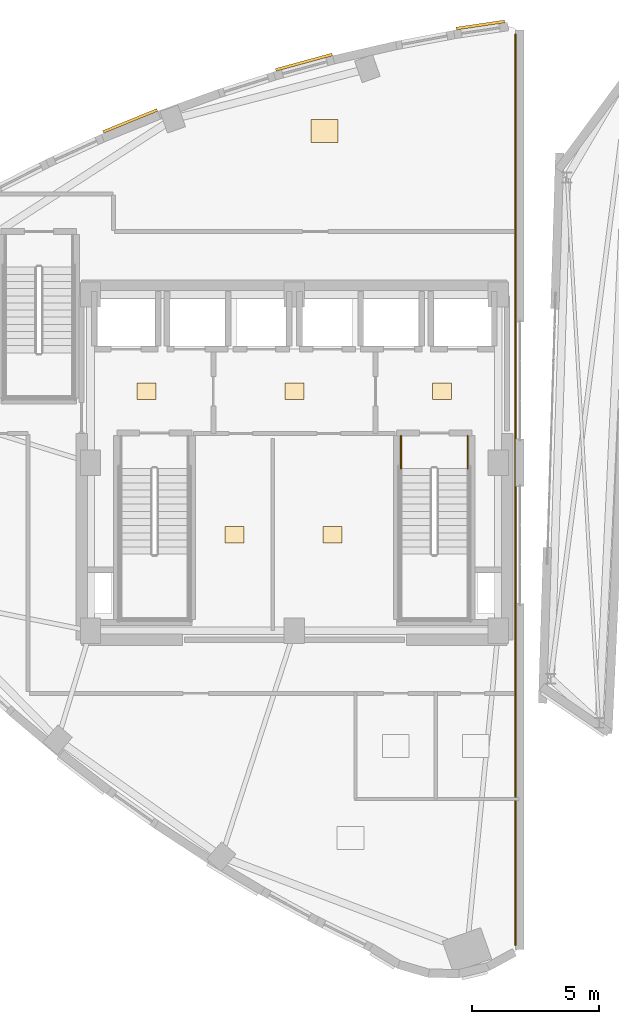
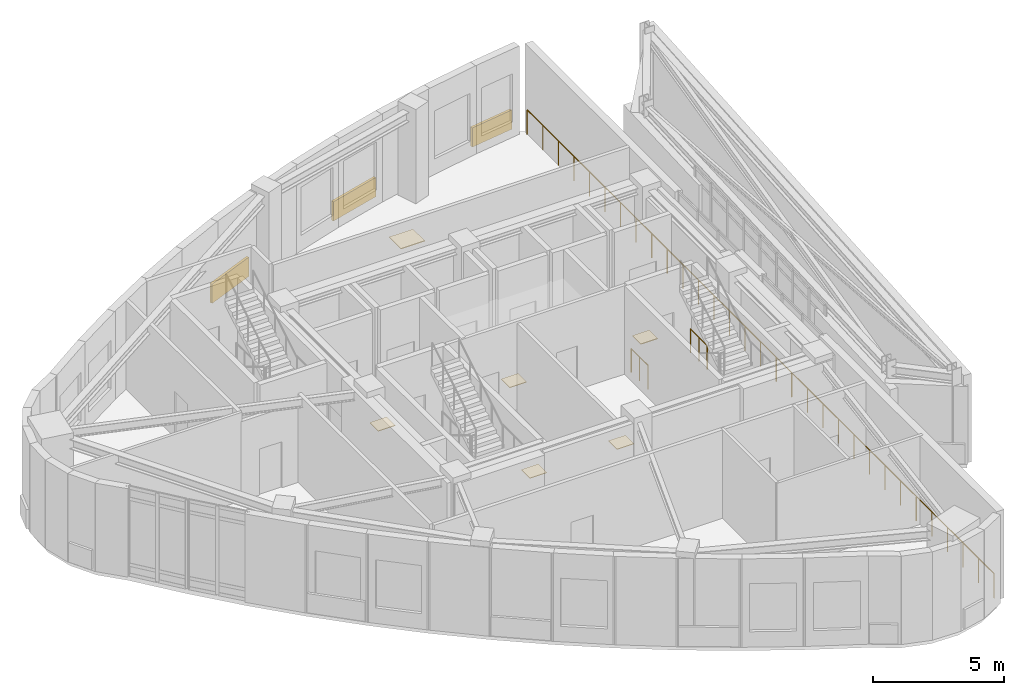
# One storey, part 19 of 19: 9 coverings, 3 railings.
"""IFC4 building model written with IfcOpenShell, lengths in metres."""

import ifcopenshell
import ifcopenshell.guid

model = None  # the IFC model being written
_history = None  # IfcOwnerHistory: only IFC2X3 demands one
_inside = {}  # id of a spatial element -> (the spatial element, [elements in it])
_under = {}  # id of a project, library or spatial element -> (it, [spatial elements below it])
_declared = {}  # id of a project -> (the project, [libraries it declares])
_typed = {}  # id of a type object -> (the type object, [elements of that type])
_made_of = {}  # id of a material, layer set ... -> (it, [elements and type objects made of it])


def new_model(schema):
    """Start an empty IFC model of exactly this schema.

    Asked for "IFC4X3", IfcOpenShell would pick the latest addendum, in which some entities
    have other attributes; the version numbers below select the first issue.
    IFC2X3 requires an IfcOwnerHistory on every rooted entity: one is made here for all.
    """
    global model, _history
    if schema == "IFC4X3":
        model = ifcopenshell.file(schema_version=(4, 3, 0, 0))
    else:
        model = ifcopenshell.file(schema=schema)
    _inside.clear()
    _under.clear()
    _declared.clear()
    _typed.clear()
    _made_of.clear()
    _history = None
    if model.schema == "IFC2X3":
        org = make("IfcOrganization", Name="unknown")
        user = make(
            "IfcPersonAndOrganization",
            ThePerson=make("IfcPerson", FamilyName="unknown"),
            TheOrganization=org,
        )
        app = make(
            "IfcApplication",
            ApplicationDeveloper=org,
            Version="unknown",
            ApplicationFullName="unknown",
            ApplicationIdentifier="unknown",
        )
        _history = make(
            "IfcOwnerHistory",
            OwningUser=user,
            OwningApplication=app,
            ChangeAction="ADDED",
            CreationDate=0,
        )
    return model


def make(cls, **values):
    """One entity of the class cls with the attributes given. An attribute that is None is left unset."""
    return model.create_entity(
        cls, **{name: value for name, value in values.items() if value is not None}
    )


def rooted(cls, **values):
    """An entity with a GlobalId (a new one), such as an element, a storey or a relation."""
    return make(cls, GlobalId=ifcopenshell.guid.new(), OwnerHistory=_history, **values)


def si_unit(unit_type, name, prefix=None):
    """IfcSIUnit, for example si_unit("LENGTHUNIT", "METRE", prefix="MILLI")."""
    return make("IfcSIUnit", UnitType=unit_type, Prefix=prefix, Name=name)


def assignment(units):
    """IfcUnitAssignment: the units of a project."""
    return None if units is None else make("IfcUnitAssignment", Units=units)


def point(xyz):
    """IfcCartesianPoint."""
    return None if xyz is None else make("IfcCartesianPoint", Coordinates=xyz)


def direction(xyz):
    """IfcDirection."""
    return None if xyz is None else make("IfcDirection", DirectionRatios=xyz)


def frame(location, z_axis=None, x_axis=None):
    """IfcAxis2Placement3D, a coordinate frame: its origin and axes. An axis left out is left unset."""
    return make(
        "IfcAxis2Placement3D",
        Location=point(location),
        Axis=direction(z_axis),
        RefDirection=direction(x_axis),
    )


def frame_2d(location, x_axis=None):
    """IfcAxis2Placement2D, a coordinate frame in the plane: its origin and x axis."""
    return make(
        "IfcAxis2Placement2D", Location=point(location), RefDirection=direction(x_axis)
    )


def origin():
    """The frame at (0, 0, 0) with its axes left unset."""
    return frame((0.0, 0.0, 0.0))


def origin_2d():
    """The frame at (0, 0) in the plane with its x axis left unset."""
    return frame_2d((0.0, 0.0))


def place(relative_to, where):
    """IfcLocalPlacement: puts the frame where relative to a parent placement (None: the world)."""
    return make(
        "IfcLocalPlacement", PlacementRelTo=relative_to, RelativePlacement=where
    )


def context(
    kind, dimensions, precision=None, world=None, true_north=None, identifier=None
):
    """IfcGeometricRepresentationContext, for example the 3D "Model" context."""
    return make(
        "IfcGeometricRepresentationContext",
        ContextIdentifier=identifier,
        ContextType=kind,
        CoordinateSpaceDimension=dimensions,
        Precision=precision,
        WorldCoordinateSystem=world,
        TrueNorth=true_north,
    )


def subcontext(parent, identifier, kind, view, scale=None):
    """IfcGeometricRepresentationSubContext, for example "Body" below "Model"."""
    return make(
        "IfcGeometricRepresentationSubContext",
        ContextIdentifier=identifier,
        ContextType=kind,
        ParentContext=parent,
        TargetScale=scale,
        TargetView=view,
    )


def project(units=None, contexts=None):
    """IfcProject with its units and contexts."""
    return rooted(
        "IfcProject",
        Name="project",
        RepresentationContexts=contexts,
        UnitsInContext=assignment(units),
    )


def spatial(cls, under=None, at=None, **own):
    """A site, building, storey or space (cls), placed at a placement, below another one or the project."""
    s = rooted(cls, ObjectPlacement=at, **own)
    if under is not None:
        _under.setdefault(under.id(), (under, []))[1].append(s)
    return s


def profile(cls, at=None, kind="AREA", **sizes):
    """A parametric profile (cls). Its sizes go by their IFC names, for example OverallWidth=200.0."""
    return make(cls, ProfileType=kind, Position=at, **sizes)


def rectangle(**sizes):
    """IfcRectangleProfileDef."""
    return profile("IfcRectangleProfileDef", **sizes)


def circle(**sizes):
    """IfcCircleProfileDef."""
    return profile("IfcCircleProfileDef", **sizes)


def extrude(swept, where, along, depth):
    """IfcExtrudedAreaSolid: the profile swept, set in the frame where, extruded along a direction by depth."""
    return make(
        "IfcExtrudedAreaSolid",
        SweptArea=swept,
        Position=where,
        ExtrudedDirection=direction(along),
        Depth=depth,
    )


def shape(context_of_items, identifier, shape_type, items):
    """IfcShapeRepresentation: the items that make up one representation, for example the "Body"."""
    return make(
        "IfcShapeRepresentation",
        ContextOfItems=context_of_items,
        RepresentationIdentifier=identifier,
        RepresentationType=shape_type,
        Items=items,
    )


def material(Name=None, Category=None):
    """IfcMaterial."""
    return make("IfcMaterial", Name=Name, Category=Category)


def layer(
    of_material, thickness, ventilated=None, Name=None, Category=None, Priority=None
):
    """IfcMaterialLayer: one layer of a wall or slab, of a material (None: an air gap)."""
    return make(
        "IfcMaterialLayer",
        Material=of_material,
        LayerThickness=thickness,
        IsVentilated=ventilated,
        Name=Name,
        Category=Category,
        Priority=Priority,
    )


def layer_set(layers, Name=None):
    """IfcMaterialLayerSet."""
    return make("IfcMaterialLayerSet", MaterialLayers=layers, LayerSetName=Name)


def made_of(thing, what):
    """Note that an element or type object is made of a material, layer set ...; save() writes the relation."""
    if what is not None:
        _made_of.setdefault(what.id(), (what, []))[1].append(thing)
    return thing


def type_object(cls, material=None, **own):
    """A type object (cls), such as IfcWallType, which elements share."""
    return made_of(rooted(cls, **own), material)


def element(
    cls,
    number,
    at=None,
    inside=None,
    cuts=None,
    type_object=None,
    material=None,
    context=None,
    identifier="Body",
    shape_type=None,
    held_by="IfcProductDefinitionShape",
    body=None,
    shapes=None,
    **own,
):
    """One element of the class cls, such as IfcWall. Its Tag is "e" and its number.

    at: its placement. inside: the storey or other place that contains it. cuts: it is an
    opening in that element (IfcRelVoidsElement). A single representation is given by context,
    identifier, shape_type and body (its items); several are given by shapes. held_by: the class
    of the entity that holds the representations. save() writes the other relations.
    """
    e = rooted(cls, Tag="e%d" % number, ObjectPlacement=at, **own)
    if body is not None:
        shapes = [shape(context, identifier, shape_type, body)]
    if shapes is not None:
        e.Representation = make(held_by, Representations=shapes)
    if inside is not None:
        _inside.setdefault(inside.id(), (inside, []))[1].append(e)
    if cuts is not None:
        rooted(
            "IfcRelVoidsElement", RelatingBuildingElement=cuts, RelatedOpeningElement=e
        )
    if type_object is not None:
        _typed.setdefault(type_object.id(), (type_object, []))[1].append(e)
    return made_of(e, material)


def aggregate(whole, parts):
    """IfcRelAggregates: a whole, such as a stair, and the parts it consists of."""
    return rooted("IfcRelAggregates", RelatingObject=whole, RelatedObjects=parts)


def save(model, path):
    """Write the relations noted so far, then the file.

    IfcRelAggregates (storeys below a building ...), IfcRelContainedInSpatialStructure (elements
    in a storey), IfcRelDefinesByType, IfcRelAssociatesMaterial and IfcRelDeclares: one each for
    every whole, place, type object, material and project.
    """
    for whole, parts in _under.values():
        aggregate(whole, parts)
    for where, things in _inside.values():
        rooted(
            "IfcRelContainedInSpatialStructure",
            RelatedElements=things,
            RelatingStructure=where,
        )
    for kind, things in _typed.values():
        rooted("IfcRelDefinesByType", RelatedObjects=things, RelatingType=kind)
    for what, things in _made_of.values():
        rooted("IfcRelAssociatesMaterial", RelatedObjects=things, RelatingMaterial=what)
    for by, libraries in _declared.values():
        rooted("IfcRelDeclares", RelatingContext=by, RelatedDefinitions=libraries)
    model.write(path)


model = new_model("IFC4")

# Units and contexts
model_context = context("Model", 3, precision=1e-05, world=origin(), true_north=direction((0.0, 1.0)))
body_context = subcontext(model_context, "Body", "Model", "MODEL_VIEW")
ifc_project = project(units=[si_unit("LENGTHUNIT", "METRE"), si_unit("AREAUNIT", "SQUARE_METRE"), si_unit("VOLUMEUNIT", "CUBIC_METRE"), si_unit("PLANEANGLEUNIT", "RADIAN"), si_unit("MASSUNIT", "GRAM", prefix="KILO")], contexts=[model_context])

# Site, building, storey
site_placement = place(None, origin())
site = spatial("IfcSite", under=ifc_project, at=site_placement, CompositionType="ELEMENT")
building_placement = place(site_placement, origin())
building = spatial("IfcBuilding", under=site, at=building_placement, Name="Ndelora Gate Hotel", CompositionType="ELEMENT")
storey_placement = place(building_placement, frame((0.0, 0.0, 294.800048828125)))
storey = spatial("IfcBuildingStorey", under=building, at=storey_placement, Name="L73", CompositionType="ELEMENT", Elevation=294.800048828125)

# Coverings
ifc_material_1 = material(Name="Terracotta Fired Clay Brick Slip Cladding", Category="masonry")
ifc_layer_1 = layer(ifc_material_1, 0.110107421875)
ifc_layer_set_1 = layer_set([ifc_layer_1], Name="Terracotta Fired Clay Brick Slip Cladding")
covering_type_1 = type_object("IfcCoveringType", Name="COV-CLAD-BRK", PredefinedType="CLADDING", material=ifc_layer_set_1)
covering_1_placement = place(storey_placement, frame((7.30078125, 17.177001953125, 0.10009765625), z_axis=(0.0, 0.0, 1.0), x_axis=(0.989170106698, 0.146773635283, 0.0)))
element("IfcCovering", 1, at=covering_1_placement, inside=storey, type_object=covering_type_1, Name="L73 Rounded-Corner Brick Cladding Band 52", PredefinedType="CLADDING", context=body_context, shape_type="SweptSolid", body=[
    extrude(rectangle(XDim=1.924072265625, YDim=0.110107421875, at=origin_2d()), origin(), (0.0, 0.0, 1.0), 0.89990234375),
])
covering_2_placement = place(storey_placement, frame((0.377197265625, 15.71826171875, 0.10009765625), z_axis=(0.0, 0.0, 1.0), x_axis=(0.964924914393, 0.262526016964, 0.0)))
element("IfcCovering", 2, at=covering_2_placement, inside=storey, type_object=covering_type_1, Name="L73 Rounded-Corner Brick Cladding Band 55", PredefinedType="CLADDING", context=body_context, shape_type="SweptSolid", body=[
    extrude(rectangle(XDim=2.301025390625, YDim=0.110107421875, at=origin_2d()), origin(), (0.0, 0.0, 1.0), 0.89990234375),
])
covering_3_placement = place(storey_placement, frame((-6.442138671875, 13.411865234375, 0.10009765625), z_axis=(0.0, 0.0, 1.0), x_axis=(0.926068294858, 0.377355950342, 0.0)))
element("IfcCovering", 3, at=covering_3_placement, inside=storey, type_object=covering_type_1, Name="L73 Rounded-Corner Brick Cladding Band 58", PredefinedType="CLADDING", context=body_context, shape_type="SweptSolid", body=[
    extrude(rectangle(XDim=2.2890625, YDim=0.110107421875, at=origin_2d()), origin(), (0.0, 0.0, 1.0), 0.89990234375),
])
ifc_material_2 = material(Name="Engineered Highland Oak Parquet", Category="wood")
ifc_layer_2 = layer(ifc_material_2, 0.030029296875)
ifc_layer_set_2 = layer_set([ifc_layer_2], Name="Engineered Highland Oak Parquet")
covering_type_2 = type_object("IfcCoveringType", Name="COV-FLR-PARQ", PredefinedType="FLOORING", material=ifc_layer_set_2)
covering_4_placement = place(storey_placement, frame((1.181884765625, 13.024169921875, 0.0), z_axis=(0.0, 0.0, 1.0), x_axis=(1.0, 0.0, 0.0)))
element("IfcCovering", 4, at=covering_4_placement, inside=storey, type_object=covering_type_2, Name="L73 Sunset Champagne Cocktail Bar Oak Parquet Flooring", PredefinedType="FLOORING", context=body_context, shape_type="SweptSolid", body=[
    extrude(rectangle(XDim=1.050048828125, YDim=0.89990234375, at=origin_2d()), origin(), (0.0, 0.0, 1.0), 0.030029296875),
])
ifc_material_3 = material(Name="Non-Slip Porcelain Wet-Room Tile", Category="ceramic")
ifc_layer_3 = layer(ifc_material_3, 0.02490234375)
ifc_layer_set_3 = layer_set([ifc_layer_3], Name="Non-Slip Porcelain Wet-Room Tile")
covering_type_3 = type_object("IfcCoveringType", Name="COV-FLR-TILE", PredefinedType="FLOORING", material=ifc_layer_set_3)
for number, where, z_axis, x_axis, name in (
    (5, (-5.800048828125, 2.800048828125, 0.0), (0.0, 0.0, 1.0), (1.0, 0.0, 0.0), "L73 Firefighting Lift Lobby West Porcelain Tile Flooring"),
    (6, (5.800048828125, 2.800048828125, 0.0), (0.0, 0.0, 1.0), (1.0, 0.0, 0.0), "L73 Firefighting Lift Lobby East Porcelain Tile Flooring"),
    (7, (0.0, 2.800048828125, 0.0), (0.0, 0.0, 1.0), (1.0, 0.0, 0.0), "L73 Central Passenger Lift Lobby Porcelain Tile Flooring"),
    (8, (-2.35009765625, -2.824951171875, 0.0), (0.0, 0.0, 1.0), (1.0, 0.0, 0.0), "L73 Core Electrical Switchroom Porcelain Tile Flooring"),
    (9, (1.5, -2.824951171875, 0.0), (0.0, 0.0, 1.0), (1.0, 0.0, 0.0), "L73 Central Linen Equipment Store Porcelain Tile Flooring"),
):
    element("IfcCovering", number, at=place(storey_placement, frame(where, z_axis=z_axis, x_axis=x_axis)), inside=storey, type_object=covering_type_3, Name=name, PredefinedType="FLOORING", context=body_context, shape_type="SweptSolid", body=[
        extrude(rectangle(XDim=0.75, YDim=0.64990234375, at=origin_2d()), origin(), (0.0, 0.0, 1.0), 0.02490234375),
    ])

# Railings
ifc_material_4 = material(Name="Laminated Safety Glass and Bronze Top Rail", Category="glass")
ifc_layer_4 = layer(ifc_material_4, 0.070068359375)
ifc_layer_set_4 = layer_set([ifc_layer_4], Name="Laminated Safety Glass and Bronze Top Rail")
railing_type_1 = type_object("IfcRailingType", Name="RL-BAL-1150", PredefinedType="BALUSTRADE", material=ifc_layer_set_4)
railing_placement = place(storey_placement, frame((8.679931640625, -18.9306640625, 0.0)))
element("IfcRailing", 10, at=railing_placement, inside=storey, type_object=railing_type_1, Name="L73 Split-Crown Sky-Slot Safety Guard M", PredefinedType="BALUSTRADE", context=body_context, shape_type="SweptSolid", body=[
    extrude(circle(Radius=0.02392578125, at=origin_2d()), frame((0.0, 0.0, 1.1357421875), z_axis=(0.0, 1.0, 0.0), x_axis=(-1.0, 0.0, 0.0)), (0.0, 0.0, 1.0), 35.737060546875),
    extrude(circle(Radius=0.02099609375, at=origin_2d()), origin(), (0.0, 0.0, 1.0), 1.11181640625),
    extrude(circle(Radius=0.02099609375, at=origin_2d()), frame((0.0, 1.191162109375, 0.0)), (0.0, 0.0, 1.0), 1.11181640625),
    extrude(circle(Radius=0.02099609375, at=origin_2d()), frame((0.0, 2.382568359375, 0.0)), (0.0, 0.0, 1.0), 1.11181640625),
    extrude(circle(Radius=0.02099609375, at=origin_2d()), frame((0.0, 3.57373046875, 0.0)), (0.0, 0.0, 1.0), 1.11181640625),
    extrude(circle(Radius=0.02099609375, at=origin_2d()), frame((0.0, 4.764892578125, 0.0)), (0.0, 0.0, 1.0), 1.11181640625),
    extrude(circle(Radius=0.02099609375, at=origin_2d()), frame((0.0, 5.9560546875, 0.0)), (0.0, 0.0, 1.0), 1.11181640625),
    extrude(circle(Radius=0.02099609375, at=origin_2d()), frame((0.0, 7.1474609375, 0.0)), (0.0, 0.0, 1.0), 1.11181640625),
    extrude(circle(Radius=0.02099609375, at=origin_2d()), frame((0.0, 8.338623046875, 0.0)), (0.0, 0.0, 1.0), 1.11181640625),
    extrude(circle(Radius=0.02099609375, at=origin_2d()), frame((0.0, 9.52978515625, 0.0)), (0.0, 0.0, 1.0), 1.11181640625),
    extrude(circle(Radius=0.02099609375, at=origin_2d()), frame((0.0, 10.72119140625, 0.0)), (0.0, 0.0, 1.0), 1.11181640625),
    extrude(circle(Radius=0.02099609375, at=origin_2d()), frame((0.0, 11.912353515625, 0.0)), (0.0, 0.0, 1.0), 1.11181640625),
    extrude(circle(Radius=0.02099609375, at=origin_2d()), frame((0.0, 13.103515625, 0.0)), (0.0, 0.0, 1.0), 1.11181640625),
    extrude(circle(Radius=0.02099609375, at=origin_2d()), frame((0.0, 14.294921875, 0.0)), (0.0, 0.0, 1.0), 1.11181640625),
    extrude(circle(Radius=0.02099609375, at=origin_2d()), frame((0.0, 15.486083984375, 0.0)), (0.0, 0.0, 1.0), 1.11181640625),
    extrude(circle(Radius=0.02099609375, at=origin_2d()), frame((0.0, 16.67724609375, 0.0)), (0.0, 0.0, 1.0), 1.11181640625),
    extrude(circle(Radius=0.02099609375, at=origin_2d()), frame((0.0, 17.86865234375, 0.0)), (0.0, 0.0, 1.0), 1.11181640625),
    extrude(circle(Radius=0.02099609375, at=origin_2d()), frame((0.0, 19.059814453125, 0.0)), (0.0, 0.0, 1.0), 1.11181640625),
    extrude(circle(Radius=0.02099609375, at=origin_2d()), frame((0.0, 20.2509765625, 0.0)), (0.0, 0.0, 1.0), 1.11181640625),
    extrude(circle(Radius=0.02099609375, at=origin_2d()), frame((0.0, 21.442138671875, 0.0)), (0.0, 0.0, 1.0), 1.11181640625),
    extrude(circle(Radius=0.02099609375, at=origin_2d()), frame((0.0, 22.633544921875, 0.0)), (0.0, 0.0, 1.0), 1.11181640625),
    extrude(circle(Radius=0.02099609375, at=origin_2d()), frame((0.0, 23.82470703125, 0.0)), (0.0, 0.0, 1.0), 1.11181640625),
    extrude(circle(Radius=0.02099609375, at=origin_2d()), frame((0.0, 25.015869140625, 0.0)), (0.0, 0.0, 1.0), 1.11181640625),
    extrude(circle(Radius=0.02099609375, at=origin_2d()), frame((0.0, 26.207275390625, 0.0)), (0.0, 0.0, 1.0), 1.11181640625),
    extrude(circle(Radius=0.02099609375, at=origin_2d()), frame((0.0, 27.3984375, 0.0)), (0.0, 0.0, 1.0), 1.11181640625),
    extrude(circle(Radius=0.02099609375, at=origin_2d()), frame((0.0, 28.589599609375, 0.0)), (0.0, 0.0, 1.0), 1.11181640625),
    extrude(circle(Radius=0.02099609375, at=origin_2d()), frame((0.0, 29.78076171875, 0.0)), (0.0, 0.0, 1.0), 1.11181640625),
    extrude(circle(Radius=0.02099609375, at=origin_2d()), frame((0.0, 30.97216796875, 0.0)), (0.0, 0.0, 1.0), 1.11181640625),
    extrude(circle(Radius=0.02099609375, at=origin_2d()), frame((0.0, 32.163330078125, 0.0)), (0.0, 0.0, 1.0), 1.11181640625),
    extrude(circle(Radius=0.02099609375, at=origin_2d()), frame((0.0, 33.3544921875, 0.0)), (0.0, 0.0, 1.0), 1.11181640625),
    extrude(circle(Radius=0.02099609375, at=origin_2d()), frame((0.0, 34.5458984375, 0.0)), (0.0, 0.0, 1.0), 1.11181640625),
    extrude(circle(Radius=0.02099609375, at=origin_2d()), frame((0.0, 35.737060546875, 0.0)), (0.0, 0.0, 1.0), 1.11181640625),
])
ifc_material_5 = material(Name="Painted Galvanized Steel Balustrade", Category="steel")
ifc_layer_5 = layer(ifc_material_5, 0.06005859375)
ifc_layer_set_5 = layer_set([ifc_layer_5], Name="Painted Galvanized Steel Balustrade")
railing_type_2 = type_object("IfcRailingType", Name="RL-STAIR-GD", PredefinedType="GUARDRAIL", material=ifc_layer_set_5)
for number, where, name in (
    (11, (4.179931640625, 1.050048828125, 0.0), "L73 ST5 stair guard 8"),
    (12, (6.800048828125, 1.050048828125, 0.0), "L73 ST5 stair guard 9"),
):
    element("IfcRailing", number, at=place(storey_placement, frame(where)), inside=storey, type_object=railing_type_2, Name=name, PredefinedType="GUARDRAIL", context=body_context, shape_type="SweptSolid", body=[
        extrude(circle(Radius=0.02392578125, at=origin_2d()), frame((0.0, 0.0, 1.10595703125), z_axis=(0.0, -1.0, 0.0), x_axis=(1.0, 0.0, 0.0)), (0.0, 0.0, 1.0), 1.280029296875),
        extrude(circle(Radius=0.02099609375, at=origin_2d()), origin(), (0.0, 0.0, 1.0), 1.081787109375),
        extrude(circle(Radius=0.02099609375, at=origin_2d()), frame((0.0, -0.64013671875, 0.0)), (0.0, 0.0, 1.0), 1.081787109375),
        extrude(circle(Radius=0.02099609375, at=origin_2d()), frame((0.0, -1.280029296875, 0.0)), (0.0, 0.0, 1.0), 1.081787109375),
    ])

save(model, "model.ifc")
